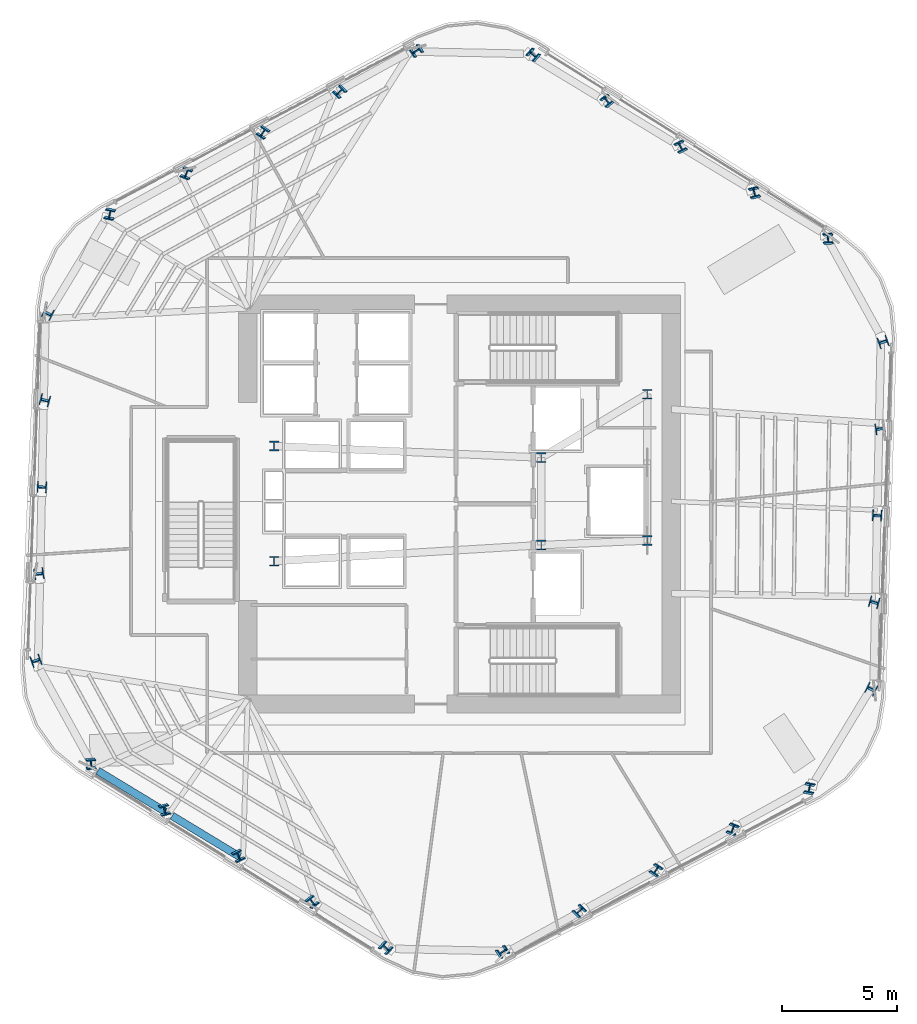
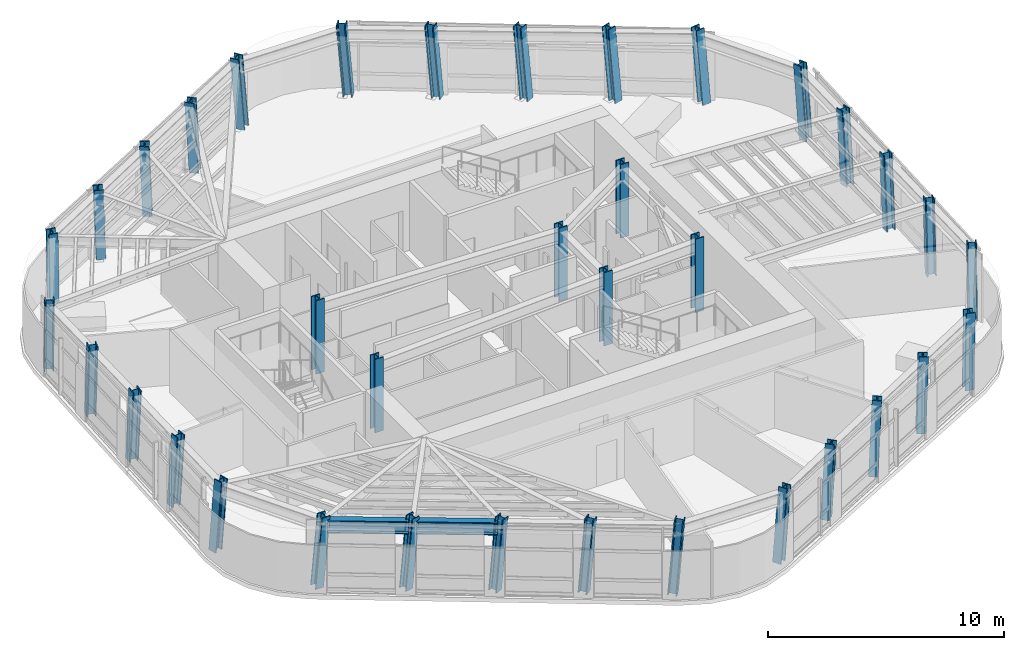
# One storey, part 1 of 14: 36 columns, 2 beams.
"""IFC4 building model written with IfcOpenShell, lengths in metres."""

from ifc_helpers import new_model, si_unit, direction, frame, origin, origin_2d, place, context, subcontext, project, spatial, i_section, extrude, material, material_profile, profile_set, type_object, element, save


model = new_model("IFC4")

# Units and contexts
model_context = context("Model", 3, precision=1e-05, world=origin(), true_north=direction((0.0, 1.0)))
body_context = subcontext(model_context, "Body", "Model", "MODEL_VIEW")
ifc_project = project(units=[si_unit("LENGTHUNIT", "METRE"), si_unit("AREAUNIT", "SQUARE_METRE"), si_unit("VOLUMEUNIT", "CUBIC_METRE"), si_unit("PLANEANGLEUNIT", "RADIAN"), si_unit("MASSUNIT", "GRAM", prefix="KILO")], contexts=[model_context])

# Site, building, storey
site_placement = place(None, origin())
site = spatial("IfcSite", under=ifc_project, at=site_placement, CompositionType="ELEMENT")
building_placement = place(site_placement, origin())
building = spatial("IfcBuilding", under=site, at=building_placement, Name="Valkerne Bourse Tower", CompositionType="ELEMENT")
storey_placement = place(building_placement, frame((0.0, 0.0, 143.800048828125)))
storey = spatial("IfcBuildingStorey", under=building, at=storey_placement, Name="L36", CompositionType="ELEMENT", Elevation=143.800048828125)

# Columns
ifc_material_1 = material(Name="Steel ASTM A913 Grade 65", Category="steel")
ifc_material_profile_1 = material_profile(ifc_material_1, i_section(OverallWidth=0.406494140625, OverallDepth=0.41650390625, WebThickness=0.02978515625, FlangeThickness=0.048095703125, FilletRadius=0.025390625, at=origin_2d()), Name="W14X257")
ifc_profile_set_1 = profile_set([ifc_material_profile_1], Name="Steel ASTM A913 Grade 65")
column_type_1 = type_object("IfcColumnType", Name="COL-W14X257", PredefinedType="COLUMN", material=ifc_profile_set_1)
column_1_placement = place(storey_placement, frame((62.830322265625, 38.36181640625, 0.010009765625), z_axis=(-0.047559393332, 0.065965329047, 0.996687854581), x_axis=(0.996896763522, 0.065797750703, 0.043214567945)))
element("IfcColumn", 1, at=column_1_placement, inside=storey, type_object=column_type_1, Name="L36 Helical Perimeter Tube Column F1-C1", PredefinedType="COLUMN", context=body_context, shape_type="SweptSolid", body=[
    extrude(i_section(OverallWidth=0.406494140625, OverallDepth=0.41650390625, WebThickness=0.02978515625, FlangeThickness=0.048095703125, FilletRadius=0.025390625, at=origin_2d()), origin(), (0.0, 0.0, 1.0), 3.79345703125),
])
column_2_placement = place(storey_placement, frame((59.6357421875, 40.365478515625, 0.010009765625), z_axis=(-0.055752796681, 0.052791331731, 0.997047993306), x_axis=(0.967170741359, 0.250830652591, 0.040801235029)))
element("IfcColumn", 2, at=column_2_placement, inside=storey, type_object=column_type_1, Name="L36 Helical Perimeter Tube Column F1-C2", PredefinedType="COLUMN", context=body_context, shape_type="SweptSolid", body=[
    extrude(i_section(OverallWidth=0.406494140625, OverallDepth=0.41650390625, WebThickness=0.02978515625, FlangeThickness=0.048095703125, FilletRadius=0.025390625, at=origin_2d()), origin(), (0.0, 0.0, 1.0), 3.792236328125),
])
column_3_placement = place(storey_placement, frame((56.44140625, 42.369384765625, 0.010009765625), z_axis=(-0.064001161139, 0.039469528952, 0.997168996538), x_axis=(0.895685984007, 0.44288826868, 0.039957471389)))
element("IfcColumn", 3, at=column_3_placement, inside=storey, type_object=column_type_1, Name="L36 Helical Perimeter Tube Column F1-C3", PredefinedType="COLUMN", context=body_context, shape_type="SweptSolid", body=[
    extrude(i_section(OverallWidth=0.406494140625, OverallDepth=0.41650390625, WebThickness=0.02978515625, FlangeThickness=0.048095703125, FilletRadius=0.025390625, at=origin_2d()), origin(), (0.0, 0.0, 1.0), 3.791748046875),
])
column_4_placement = place(storey_placement, frame((53.246826171875, 44.373291015625, 0.010009765625), z_axis=(-0.072169623127, 0.026202530431, 0.997048129679), x_axis=(0.787120222852, 0.615448690623, 0.040800293971)))
element("IfcColumn", 4, at=column_4_placement, inside=storey, type_object=column_type_1, Name="L36 Helical Perimeter Tube Column F1-C4", PredefinedType="COLUMN", context=body_context, shape_type="SweptSolid", body=[
    extrude(i_section(OverallWidth=0.406494140625, OverallDepth=0.41650390625, WebThickness=0.02978515625, FlangeThickness=0.048095703125, FilletRadius=0.025390625, at=origin_2d()), origin(), (0.0, 0.0, 1.0), 3.792236328125),
])
column_5_placement = place(storey_placement, frame((50.05224609375, 46.377197265625, 0.010009765625), z_axis=(-0.080316684316, 0.012871263512, 0.996686290061), x_axis=(0.657011161752, 0.752640653822, 0.043224756189)))
element("IfcColumn", 5, at=column_5_placement, inside=storey, type_object=column_type_1, Name="L36 Helical Perimeter Tube Column F1-C5", PredefinedType="COLUMN", context=body_context, shape_type="SweptSolid", body=[
    extrude(i_section(OverallWidth=0.406494140625, OverallDepth=0.41650390625, WebThickness=0.02978515625, FlangeThickness=0.048095703125, FilletRadius=0.025390625, at=origin_2d()), origin(), (0.0, 0.0, 1.0), 3.79345703125),
])
column_6_placement = place(storey_placement, frame((44.9755859375, 46.5634765625, 0.010009765625), z_axis=(-0.080960048147, -0.008173232206, 0.996683835968), x_axis=(-0.552787884798, 0.832451655618, -0.038076179945)))
element("IfcColumn", 6, at=column_6_placement, inside=storey, type_object=column_type_1, Name="L36 Helical Perimeter Tube Column F2-C1", PredefinedType="COLUMN", context=body_context, shape_type="SweptSolid", body=[
    extrude(i_section(OverallWidth=0.406494140625, OverallDepth=0.41650390625, WebThickness=0.02978515625, FlangeThickness=0.048095703125, FilletRadius=0.025390625, at=origin_2d()), origin(), (0.0, 0.0, 1.0), 3.793701171875),
])
column_7_placement = place(storey_placement, frame((41.642822265625, 44.798828125, 0.010009765625), z_axis=(-0.073521981316, -0.021889206346, 0.997053349079), x_axis=(-0.699332453081, 0.713894693782, -0.035895490769)))
element("IfcColumn", 7, at=column_7_placement, inside=storey, type_object=column_type_1, Name="L36 Helical Perimeter Tube Column F2-C2", PredefinedType="COLUMN", context=body_context, shape_type="SweptSolid", body=[
    extrude(i_section(OverallWidth=0.406494140625, OverallDepth=0.41650390625, WebThickness=0.02978515625, FlangeThickness=0.048095703125, FilletRadius=0.025390625, at=origin_2d()), origin(), (0.0, 0.0, 1.0), 3.792236328125),
])
column_8_placement = place(storey_placement, frame((38.310302734375, 43.034423828125, 0.010009765625), z_axis=(-0.066190197912, -0.03573498039, 0.997166921271), x_axis=(-0.830437525747, 0.555998759888, -0.035197937931)))
element("IfcColumn", 8, at=column_8_placement, inside=storey, type_object=column_type_1, Name="L36 Helical Perimeter Tube Column F2-C3", PredefinedType="COLUMN", context=body_context, shape_type="SweptSolid", body=[
    extrude(i_section(OverallWidth=0.406494140625, OverallDepth=0.41650390625, WebThickness=0.02978515625, FlangeThickness=0.048095703125, FilletRadius=0.025390625, at=origin_2d()), origin(), (0.0, 0.0, 1.0), 3.791748046875),
])
column_9_placement = place(storey_placement, frame((34.9775390625, 41.269775390625, 0.010009765625), z_axis=(-0.058714357514, -0.049443669486, 0.997049621518), x_axis=(-0.9261337746, 0.375481181605, -0.035918154256)))
element("IfcColumn", 9, at=column_9_placement, inside=storey, type_object=column_type_1, Name="L36 Helical Perimeter Tube Column F2-C4", PredefinedType="COLUMN", context=body_context, shape_type="SweptSolid", body=[
    extrude(i_section(OverallWidth=0.406494140625, OverallDepth=0.41650390625, WebThickness=0.02978515625, FlangeThickness=0.048095703125, FilletRadius=0.025390625, at=origin_2d()), origin(), (0.0, 0.0, 1.0), 3.792236328125),
])
for number, where, z_axis, x_axis, name in (
    (10, (31.64501953125, 39.505126953125, 0.010009765625), (-0.051356164763, -0.063133330367, 0.996682861766), (-0.979884617805, 0.195897715928, -0.038081763136), "L36 Helical Perimeter Tube Column F2-C5"),
    (11, (28.9453125, 35.201904296875, 0.010009765625), (-0.033400841246, -0.074202639609, 0.996683677041), (-0.442241903144, -0.893201736718, -0.081318857762), "L36 Helical Perimeter Tube Column F3-C1"),
):
    element("IfcColumn", number, at=place(storey_placement, frame(where, z_axis=z_axis, x_axis=x_axis)), inside=storey, type_object=column_type_1, Name=name, PredefinedType="COLUMN", context=body_context, shape_type="SweptSolid", body=[
        extrude(i_section(OverallWidth=0.406494140625, OverallDepth=0.41650390625, WebThickness=0.02978515625, FlangeThickness=0.048095703125, FilletRadius=0.025390625, at=origin_2d()), origin(), (0.0, 0.0, 1.0), 3.793701171875),
    ])
column_10_placement = place(storey_placement, frame((28.80712890625, 31.433349609375, 0.010009765625), z_axis=(-0.017768811062, -0.074680510261, 0.997049191736), x_axis=(-0.266279877146, -0.960838191653, -0.076713730768)))
element("IfcColumn", 12, at=column_10_placement, inside=storey, type_object=column_type_1, Name="L36 Helical Perimeter Tube Column F3-C2", PredefinedType="COLUMN", context=body_context, shape_type="SweptSolid", body=[
    extrude(i_section(OverallWidth=0.406494140625, OverallDepth=0.41650390625, WebThickness=0.02978515625, FlangeThickness=0.048095703125, FilletRadius=0.025390625, at=origin_2d()), origin(), (0.0, 0.0, 1.0), 3.792236328125),
])
column_11_placement = place(storey_placement, frame((28.6689453125, 27.664794921875, 0.010009765625), z_axis=(-0.002189177975, -0.075140314601, 0.997170567466), x_axis=(-0.065648439954, -0.995011060596, -0.07512171206)))
element("IfcColumn", 13, at=column_11_placement, inside=storey, type_object=column_type_1, Name="L36 Helical Perimeter Tube Column F3-C3", PredefinedType="COLUMN", context=body_context, shape_type="SweptSolid", body=[
    extrude(i_section(OverallWidth=0.406494140625, OverallDepth=0.41650390625, WebThickness=0.02978515625, FlangeThickness=0.048095703125, FilletRadius=0.025390625, at=origin_2d()), origin(), (0.0, 0.0, 1.0), 3.791748046875),
])
column_12_placement = place(storey_placement, frame((28.53076171875, 23.896484375, 0.010009765625), z_axis=(0.01345536275, -0.075581798413, 0.997048817743), x_axis=(0.138557067909, -0.987378447034, -0.076718584878)))
element("IfcColumn", 14, at=column_12_placement, inside=storey, type_object=column_type_1, Name="L36 Helical Perimeter Tube Column F3-C4", PredefinedType="COLUMN", context=body_context, shape_type="SweptSolid", body=[
    extrude(i_section(OverallWidth=0.406494140625, OverallDepth=0.41650390625, WebThickness=0.02978515625, FlangeThickness=0.048095703125, FilletRadius=0.025390625, at=origin_2d()), origin(), (0.0, 0.0, 1.0), 3.792236328125),
])
column_13_placement = place(storey_placement, frame((28.392578125, 20.1279296875, 0.010009765625), z_axis=(0.02902465967, -0.076004707473, 0.996684931948), x_axis=(0.321097791652, -0.943549654074, -0.08130349619)))
element("IfcColumn", 15, at=column_13_placement, inside=storey, type_object=column_type_1, Name="L36 Helical Perimeter Tube Column F3-C5", PredefinedType="COLUMN", context=body_context, shape_type="SweptSolid", body=[
    extrude(i_section(OverallWidth=0.406494140625, OverallDepth=0.41650390625, WebThickness=0.02978515625, FlangeThickness=0.048095703125, FilletRadius=0.025390625, at=origin_2d()), origin(), (0.0, 0.0, 1.0), 3.793701171875),
])
column_14_placement = place(storey_placement, frame((30.769775390625, 15.63818359375, 0.010009765625), z_axis=(0.047559393332, -0.065965329047, 0.996687854581), x_axis=(0.996896763522, 0.065797750703, -0.043214567945)))
element("IfcColumn", 16, at=column_14_placement, inside=storey, type_object=column_type_1, Name="L36 Helical Perimeter Tube Column F4-C1", PredefinedType="COLUMN", context=body_context, shape_type="SweptSolid", body=[
    extrude(i_section(OverallWidth=0.406494140625, OverallDepth=0.41650390625, WebThickness=0.02978515625, FlangeThickness=0.048095703125, FilletRadius=0.025390625, at=origin_2d()), origin(), (0.0, 0.0, 1.0), 3.79345703125),
])
column_15_placement = place(storey_placement, frame((33.964111328125, 13.634521484375, 0.010009765625), z_axis=(0.055816975892, -0.052791142136, 0.997044412508), x_axis=(0.967024680443, 0.251389161034, -0.040825936973)))
element("IfcColumn", 17, at=column_15_placement, inside=storey, type_object=column_type_1, Name="L36 Helical Perimeter Tube Column F4-C2", PredefinedType="COLUMN", context=body_context, shape_type="SweptSolid", body=[
    extrude(i_section(OverallWidth=0.406494140625, OverallDepth=0.41650390625, WebThickness=0.02978515625, FlangeThickness=0.048095703125, FilletRadius=0.025390625, at=origin_2d()), origin(), (0.0, 0.0, 1.0), 3.792236328125),
])
column_16_placement = place(storey_placement, frame((37.15869140625, 11.630615234375, 0.010009765625), z_axis=(0.064001161139, -0.039469528952, 0.997168996538), x_axis=(0.895685984007, 0.44288826868, -0.039957471389)))
element("IfcColumn", 18, at=column_16_placement, inside=storey, type_object=column_type_1, Name="L36 Helical Perimeter Tube Column F4-C3", PredefinedType="COLUMN", context=body_context, shape_type="SweptSolid", body=[
    extrude(i_section(OverallWidth=0.406494140625, OverallDepth=0.41650390625, WebThickness=0.02978515625, FlangeThickness=0.048095703125, FilletRadius=0.025390625, at=origin_2d()), origin(), (0.0, 0.0, 1.0), 3.791748046875),
])
column_17_placement = place(storey_placement, frame((40.353271484375, 9.626708984375, 0.010009765625), z_axis=(0.072169623127, -0.026202530431, 0.997048129679), x_axis=(0.787120222852, 0.615448690623, -0.040800293971)))
element("IfcColumn", 19, at=column_17_placement, inside=storey, type_object=column_type_1, Name="L36 Helical Perimeter Tube Column F4-C4", PredefinedType="COLUMN", context=body_context, shape_type="SweptSolid", body=[
    extrude(i_section(OverallWidth=0.406494140625, OverallDepth=0.41650390625, WebThickness=0.02978515625, FlangeThickness=0.048095703125, FilletRadius=0.025390625, at=origin_2d()), origin(), (0.0, 0.0, 1.0), 3.792236328125),
])
column_18_placement = place(storey_placement, frame((43.547607421875, 7.622802734375, 0.010009765625), z_axis=(0.08038062499, -0.012871196956, 0.996681136279), x_axis=(0.656914298829, 0.752723271464, -0.043258300829)))
element("IfcColumn", 20, at=column_18_placement, inside=storey, type_object=column_type_1, Name="L36 Helical Perimeter Tube Column F4-C5", PredefinedType="COLUMN", context=body_context, shape_type="SweptSolid", body=[
    extrude(i_section(OverallWidth=0.406494140625, OverallDepth=0.41650390625, WebThickness=0.02978515625, FlangeThickness=0.048095703125, FilletRadius=0.025390625, at=origin_2d()), origin(), (0.0, 0.0, 1.0), 3.793701171875),
])
column_19_placement = place(storey_placement, frame((48.62451171875, 7.4365234375, 0.010009765625), z_axis=(0.080896113312, 0.008173274774, 0.996689026944), x_axis=(-0.552856481708, 0.832407460824, 0.038046416348)))
element("IfcColumn", 21, at=column_19_placement, inside=storey, type_object=column_type_1, Name="L36 Helical Perimeter Tube Column F5-C1", PredefinedType="COLUMN", context=body_context, shape_type="SweptSolid", body=[
    extrude(i_section(OverallWidth=0.406494140625, OverallDepth=0.41650390625, WebThickness=0.02978515625, FlangeThickness=0.048095703125, FilletRadius=0.025390625, at=origin_2d()), origin(), (0.0, 0.0, 1.0), 3.79345703125),
])
column_20_placement = place(storey_placement, frame((51.95703125, 9.201171875, 0.010009765625), z_axis=(0.073586012875, 0.021889102693, 0.997048627647), x_axis=(-0.699159491926, 0.714062642278, 0.035924194544)))
element("IfcColumn", 22, at=column_20_placement, inside=storey, type_object=column_type_1, Name="L36 Helical Perimeter Tube Column F5-C2", PredefinedType="COLUMN", context=body_context, shape_type="SweptSolid", body=[
    extrude(i_section(OverallWidth=0.406494140625, OverallDepth=0.41650390625, WebThickness=0.02978515625, FlangeThickness=0.048095703125, FilletRadius=0.025390625, at=origin_2d()), origin(), (0.0, 0.0, 1.0), 3.792236328125),
])
column_21_placement = place(storey_placement, frame((55.289794921875, 10.965576171875, 0.010009765625), z_axis=(0.066126092241, 0.035735132613, 0.997171168969), x_axis=(-0.83066547308, 0.555659816677, 0.035171578911)))
element("IfcColumn", 23, at=column_21_placement, inside=storey, type_object=column_type_1, Name="L36 Helical Perimeter Tube Column F5-C3", PredefinedType="COLUMN", context=body_context, shape_type="SweptSolid", body=[
    extrude(i_section(OverallWidth=0.406494140625, OverallDepth=0.41650390625, WebThickness=0.02978515625, FlangeThickness=0.048095703125, FilletRadius=0.025390625, at=origin_2d()), origin(), (0.0, 0.0, 1.0), 3.791748046875),
])
column_22_placement = place(storey_placement, frame((58.622314453125, 12.730224609375, 0.010009765625), z_axis=(0.058778514987, 0.049443482486, 0.997045850608), x_axis=(-0.925929566239, 0.375982284278, 0.035941066679)))
element("IfcColumn", 24, at=column_22_placement, inside=storey, type_object=column_type_1, Name="L36 Helical Perimeter Tube Column F5-C4", PredefinedType="COLUMN", context=body_context, shape_type="SweptSolid", body=[
    extrude(i_section(OverallWidth=0.406494140625, OverallDepth=0.41650390625, WebThickness=0.02978515625, FlangeThickness=0.048095703125, FilletRadius=0.025390625, at=origin_2d()), origin(), (0.0, 0.0, 1.0), 3.792236328125),
])
for number, where, z_axis, x_axis, name in (
    (25, (61.955078125, 14.494873046875, 0.010009765625), (0.051291978085, 0.063133538898, 0.996686153837), (-0.980005637081, 0.19529507797, 0.03806289283), "L36 Helical Perimeter Tube Column F5-C5"),
    (26, (64.65478515625, 18.798095703125, 0.010009765625), (0.033336556687, 0.074202798958, 0.996685817404), (-0.441598296899, -0.893522494599, 0.081292655393), "L36 Helical Perimeter Tube Column F6-C1"),
):
    element("IfcColumn", number, at=place(storey_placement, frame(where, z_axis=z_axis, x_axis=x_axis)), inside=storey, type_object=column_type_1, Name=name, PredefinedType="COLUMN", context=body_context, shape_type="SweptSolid", body=[
        extrude(i_section(OverallWidth=0.406494140625, OverallDepth=0.41650390625, WebThickness=0.02978515625, FlangeThickness=0.048095703125, FilletRadius=0.025390625, at=origin_2d()), origin(), (0.0, 0.0, 1.0), 3.79345703125),
    ])
column_23_placement = place(storey_placement, frame((64.79296875, 22.566650390625, 0.010009765625), z_axis=(0.017768811062, 0.074680510261, 0.997049191736), x_axis=(-0.266279877146, -0.960838191653, 0.076713730768)))
element("IfcColumn", 27, at=column_23_placement, inside=storey, type_object=column_type_1, Name="L36 Helical Perimeter Tube Column F6-C2", PredefinedType="COLUMN", context=body_context, shape_type="SweptSolid", body=[
    extrude(i_section(OverallWidth=0.406494140625, OverallDepth=0.41650390625, WebThickness=0.02978515625, FlangeThickness=0.048095703125, FilletRadius=0.025390625, at=origin_2d()), origin(), (0.0, 0.0, 1.0), 3.792236328125),
])
column_24_placement = place(storey_placement, frame((64.930908203125, 26.335205078125, 0.010009765625), z_axis=(0.002189177975, 0.075140314601, 0.997170567466), x_axis=(-0.065648439954, -0.995011060596, 0.07512171206)))
element("IfcColumn", 28, at=column_24_placement, inside=storey, type_object=column_type_1, Name="L36 Helical Perimeter Tube Column F6-C3", PredefinedType="COLUMN", context=body_context, shape_type="SweptSolid", body=[
    extrude(i_section(OverallWidth=0.406494140625, OverallDepth=0.41650390625, WebThickness=0.02978515625, FlangeThickness=0.048095703125, FilletRadius=0.025390625, at=origin_2d()), origin(), (0.0, 0.0, 1.0), 3.791748046875),
])
column_25_placement = place(storey_placement, frame((65.069091796875, 30.103515625, 0.010009765625), z_axis=(-0.013390994596, 0.07558186373, 0.997049679374), x_axis=(0.137741849253, -0.987493370899, 0.07670740118)))
element("IfcColumn", 29, at=column_25_placement, inside=storey, type_object=column_type_1, Name="L36 Helical Perimeter Tube Column F6-C4", PredefinedType="COLUMN", context=body_context, shape_type="SweptSolid", body=[
    extrude(i_section(OverallWidth=0.406494140625, OverallDepth=0.41650390625, WebThickness=0.02978515625, FlangeThickness=0.048095703125, FilletRadius=0.025390625, at=origin_2d()), origin(), (0.0, 0.0, 1.0), 3.792236328125),
])
column_26_placement = place(storey_placement, frame((65.20751953125, 33.8720703125, 0.010009765625), z_axis=(-0.029088961504, 0.076004565345, 0.996683068164), x_axis=(0.321794099945, -0.943310441228, 0.081326310084)))
element("IfcColumn", 30, at=column_26_placement, inside=storey, type_object=column_type_1, Name="L36 Helical Perimeter Tube Column F6-C5", PredefinedType="COLUMN", context=body_context, shape_type="SweptSolid", body=[
    extrude(i_section(OverallWidth=0.406494140625, OverallDepth=0.41650390625, WebThickness=0.02978515625, FlangeThickness=0.048095703125, FilletRadius=0.025390625, at=origin_2d()), origin(), (0.0, 0.0, 1.0), 3.793701171875),
])
ifc_material_profile_2 = material_profile(ifc_material_1, i_section(OverallWidth=0.408935546875, OverallDepth=0.42431640625, WebThickness=0.03271484375, FlangeThickness=0.052490234375, FilletRadius=0.025390625, at=origin_2d()), Name="W14X283")
ifc_profile_set_2 = profile_set([ifc_material_profile_2], Name="Steel ASTM A913 Grade 65")
column_type_2 = type_object("IfcColumnType", Name="COL-W14X283", PredefinedType="COLUMN", material=ifc_profile_set_2)
for number, where, z_axis, x_axis, name in (
    (31, (38.75, 24.39990234375, 0.0048828125), (0.0, 0.0, 1.0), (1.0, 0.0, 0.0), "L36 Core Frame Column CC-SW"),
    (32, (38.75, 29.39990234375, 0.0048828125), (0.0, 0.0, 1.0), (1.0, 0.0, 0.0), "L36 Core Frame Column CC-NW"),
    (33, (50.35009765625, 25.10009765625, 0.0048828125), (0.0, 0.0, 1.0), (1.0, 0.0, 0.0), "L36 Core Frame Column CC-CE1"),
    (34, (50.35009765625, 28.89990234375, 0.0048828125), (0.0, 0.0, 1.0), (1.0, 0.0, 0.0), "L36 Core Frame Column CC-CE2"),
    (35, (54.949951171875, 25.300048828125, 0.0048828125), (0.0, 0.0, 1.0), (1.0, 0.0, 0.0), "L36 Core Frame Column CC-SE"),
    (36, (54.949951171875, 31.64990234375, 0.0048828125), (0.0, 0.0, 1.0), (1.0, 0.0, 0.0), "L36 Core Frame Column CC-NE"),
):
    element("IfcColumn", number, at=place(storey_placement, frame(where, z_axis=z_axis, x_axis=x_axis)), inside=storey, type_object=column_type_2, Name=name, PredefinedType="COLUMN", context=body_context, shape_type="SweptSolid", body=[
        extrude(i_section(OverallWidth=0.408935546875, OverallDepth=0.42431640625, WebThickness=0.03271484375, FlangeThickness=0.052490234375, FilletRadius=0.025390625, at=origin_2d()), origin(), (0.0, 0.0, 1.0), 3.795166015625),
    ])

# Beams
ifc_material_2 = material(Name="Steel ASTM A992", Category="steel")
ifc_material_profile_3 = material_profile(ifc_material_2, i_section(OverallWidth=0.330078125, OverallDepth=0.647705078125, WebThickness=0.0205078125, FlangeThickness=0.037109375, FilletRadius=0.020263671875, at=origin_2d()), Name="W24X192")
ifc_profile_set_3 = profile_set([ifc_material_profile_3], Name="Steel ASTM A992")
beam_type = type_object("IfcBeamType", Name="BM-W24X192", PredefinedType="SPANDREL", material=ifc_profile_set_3)
for number, where, z_axis, x_axis, name in (
    (37, (31.095703125, 15.2998046875, 3.256103515625), (0.855350725155, -0.518049357665, 0.0), (0.518049357665, 0.855350725155, 0.0), "L36 Hexagonal Spandrel Ring Beam 15"),
    (38, (34.321044921875, 13.34619140625, 3.256103515625), (0.85540134986, -0.517965762052, 0.0), (0.517965762052, 0.85540134986, 0.0), "L36 Hexagonal Spandrel Ring Beam 16"),
):
    element("IfcBeam", number, at=place(storey_placement, frame(where, z_axis=z_axis, x_axis=x_axis)), inside=storey, type_object=beam_type, Name=name, PredefinedType="SPANDREL", context=body_context, shape_type="SweptSolid", body=[
        extrude(i_section(OverallWidth=0.330078125, OverallDepth=0.647705078125, WebThickness=0.0205078125, FlangeThickness=0.037109375, FilletRadius=0.020263671875, at=origin_2d()), origin(), (0.0, 0.0, 1.0), 3.430908203125),
    ])

save(model, "model.ifc")
